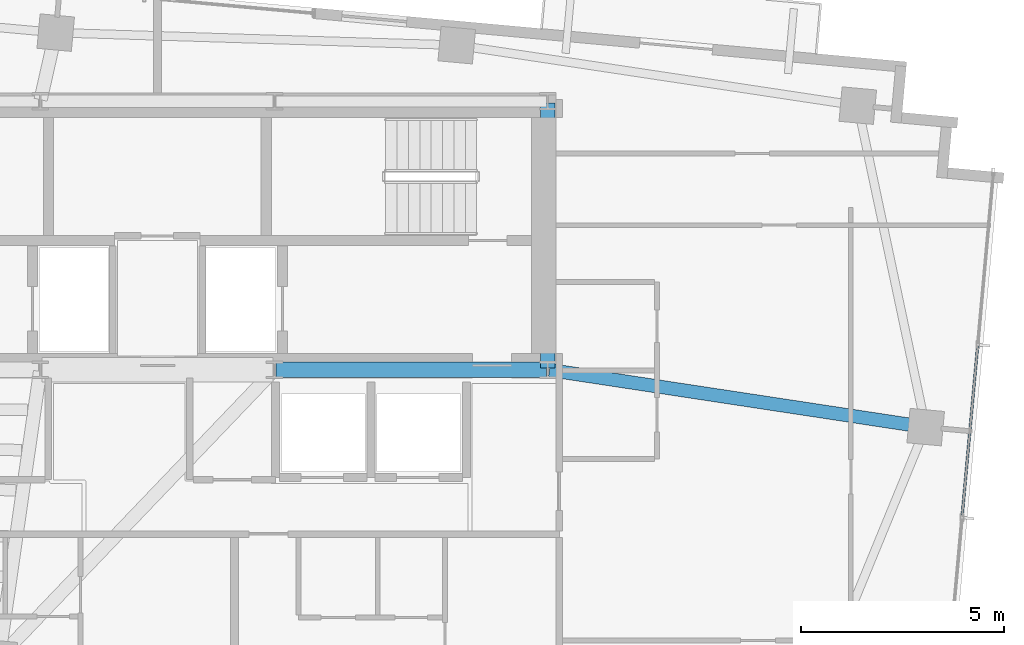
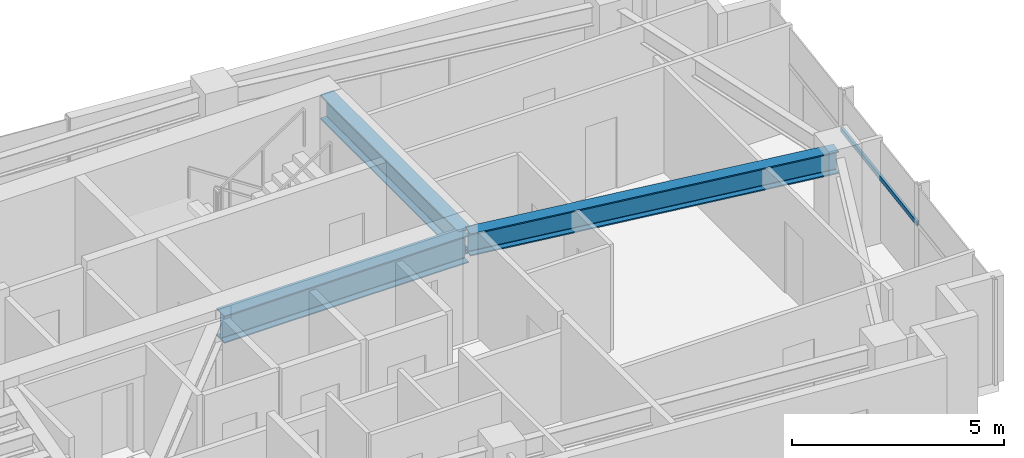
# One storey, part 13 of 22: 3 beams, 1 member, 1 element without a shape of its own.
"""IFC4 building model written with IfcOpenShell, lengths in metres."""

from ifc_helpers import new_model, si_unit, direction, frame, origin, origin_2d, place, context, subcontext, project, spatial, hollow_rectangle, i_section, extrude, source, transform, mapped, material, material_profile, profile_set, type_object, type_shapes, element, aggregate, save


model = new_model("IFC4")

# Units and contexts
model_context = context("Model", 3, precision=1e-05, world=origin(), true_north=direction((0.0, 1.0)))
body_context = subcontext(model_context, "Body", "Model", "MODEL_VIEW")
ifc_project = project(units=[si_unit("LENGTHUNIT", "METRE"), si_unit("AREAUNIT", "SQUARE_METRE"), si_unit("VOLUMEUNIT", "CUBIC_METRE"), si_unit("PLANEANGLEUNIT", "RADIAN"), si_unit("MASSUNIT", "GRAM", prefix="KILO")], contexts=[model_context])

# Site, building, storey
site_placement = place(None, origin())
site = spatial("IfcSite", under=ifc_project, at=site_placement, CompositionType="ELEMENT")
building_placement = place(site_placement, origin())
building = spatial("IfcBuilding", under=site, at=building_placement, Name="Astriad Promenade Condominiums", CompositionType="ELEMENT")
storey_placement = place(building_placement, frame((0.0, 0.0, 229.800048828125)))
storey = spatial("IfcBuildingStorey", under=building, at=storey_placement, Name="L66", CompositionType="ELEMENT", Elevation=229.800048828125)

# Beams
ifc_material_1 = material(Name="Steel ASTM A992 Grade 50", Category="steel")
ifc_material_profile_1 = material_profile(ifc_material_1, i_section(OverallWidth=0.3837890625, OverallDepth=0.785888671875, WebThickness=0.019775390625, FlangeThickness=0.033447265625, FilletRadius=0.021484375, at=origin_2d()), Name="W30X211")
ifc_profile_set_1 = profile_set([ifc_material_profile_1], Name="Steel ASTM A992 Grade 50")
beam_type_1 = type_object("IfcBeamType", Name="STEEL FLOOR GIRDER W30X211", PredefinedType="BEAM", material=ifc_profile_set_1)
shared_shape_1 = source(origin(), body_context, "Body", "SweptSolid", [
    extrude(i_section(OverallWidth=0.3837890625, OverallDepth=0.785888671875, WebThickness=0.019775390625, FlangeThickness=0.033447265625, FilletRadius=0.021484375, at=origin_2d()), origin(), (0.0, 0.0, 1.0), 6.64013671875),
])
type_shapes(beam_type_1, [shared_shape_1])
beam_1_placement = place(storey_placement, frame((38.919921875, 17.39990234375, 2.64697265625), z_axis=(1.0, 0.0, 0.0), x_axis=(0.0, 1.0, 0.0)))
element("IfcBeam", 1, at=beam_1_placement, inside=storey, type_object=beam_type_1, Name="Core Ring Beam CG-S3-L66", PredefinedType="BEAM", context=body_context, shape_type="MappedRepresentation", body=[
    mapped(shared_shape_1, transform((0.0, 0.0, 0.0), scale=1.0)),
])
ifc_material_profile_2 = material_profile(ifc_material_1, i_section(OverallWidth=0.35791015625, OverallDepth=0.706298828125, WebThickness=0.018310546875, FlangeThickness=0.0302734375, FilletRadius=0.020263671875, at=origin_2d()), Name="W27X178")
ifc_profile_set_2 = profile_set([ifc_material_profile_2], Name="Steel ASTM A992 Grade 50")
beam_type_2 = type_object("IfcBeamType", Name="STEEL FLOOR GIRDER W27X178", PredefinedType="BEAM", material=ifc_profile_set_2)
shared_shape_2 = source(origin(), body_context, "Body", "SweptSolid", [
    extrude(i_section(OverallWidth=0.35791015625, OverallDepth=0.706298828125, WebThickness=0.018310546875, FlangeThickness=0.0302734375, FilletRadius=0.020263671875, at=origin_2d()), origin(), (0.0, 0.0, 1.0), 6.52001953125),
])
type_shapes(beam_type_2, [shared_shape_2])
beam_2_placement = place(storey_placement, frame((45.60009765625, 17.43994140625, 2.686767578125), z_axis=(0.0, 1.0, 0.0), x_axis=(-1.0, 0.0, 0.0)))
element("IfcBeam", 2, at=beam_2_placement, inside=storey, type_object=beam_type_2, Name="Core Ring Beam CG-E1-L66", PredefinedType="BEAM", context=body_context, shape_type="MappedRepresentation", body=[
    mapped(shared_shape_2, transform((0.0, 0.0, 0.0), scale=1.0)),
])
ifc_material_profile_3 = material_profile(ifc_material_1, i_section(OverallWidth=0.327392578125, OverallDepth=0.640625, WebThickness=0.01904296875, FlangeThickness=0.033935546875, FilletRadius=0.017822265625, at=origin_2d()), Name="W24X176")
ifc_profile_set_3 = profile_set([ifc_material_profile_3], Name="Steel ASTM A992 Grade 50")
beam_type_3 = type_object("IfcBeamType", Name="STEEL FLOOR GIRDER W24X176", PredefinedType="BEAM", material=ifc_profile_set_3)
shared_shape_3 = source(origin(), body_context, "Body", "SweptSolid", [
    extrude(i_section(OverallWidth=0.327392578125, OverallDepth=0.640625, WebThickness=0.01904296875, FlangeThickness=0.033935546875, FilletRadius=0.017822265625, at=origin_2d()), origin(), (0.0, 0.0, 1.0), 9.315185546875),
])
type_shapes(beam_type_3, [shared_shape_3])
beam_3_placement = place(storey_placement, frame((54.84912109375, 15.995849609375, 2.7197265625), z_axis=(-0.988671230988, 0.150097291834, 0.0), x_axis=(-0.150097291834, -0.988671230988, 0.0)))
element("IfcBeam", 3, at=beam_3_placement, inside=storey, type_object=beam_type_3, Name="Primary Floor Girder PG-EM-L66", PredefinedType="BEAM", context=body_context, shape_type="MappedRepresentation", body=[
    mapped(shared_shape_3, transform((0.0, 0.0, 0.0), scale=1.0)),
])

# Curtain wall, member
ifc_material_2 = material(Name="Anodised aluminium Black Dark Glass Unitised", Category="aluminium")
curtain_wall_type = type_object("IfcCurtainWallType", Name="CW-B5-DARK", PredefinedType="USERDEFINED", material=ifc_material_2)
curtain_wall_placement = place(storey_placement, origin())
curtain_wall = element("IfcCurtainWall", 4, at=curtain_wall_placement, inside=storey, type_object=curtain_wall_type, Name="CW-L66-E", ObjectType="UNITISED_CURTAIN_WALL", PredefinedType="USERDEFINED")
ifc_material_3 = material(Name="Anodised aluminium 6063-T6 Black", Category="aluminium")
ifc_material_profile_4 = material_profile(ifc_material_3, hollow_rectangle(XDim=0.06494140625, YDim=0.1298828125, WallThickness=0.00390625, at=origin_2d()), Name="ALU-TRN-65X130")
ifc_profile_set_4 = profile_set([ifc_material_profile_4], Name="Anodised aluminium 6063-T6 Black")
member_type = type_object("IfcMemberType", Name="TRN-ALU-TRN-65X130", PredefinedType="USERDEFINED", material=ifc_profile_set_4)
shared_shape_4 = source(origin(), body_context, "Body", "SweptSolid", [
    extrude(hollow_rectangle(XDim=0.06494140625, YDim=0.1298828125, WallThickness=0.00390625, at=origin_2d()), origin(), (0.0, 0.0, 1.0), 4.266845703125),
])
type_shapes(member_type, [shared_shape_4])
member_placement = place(storey_placement, frame((56.16748046875, 18.015625, 1.884765625), z_axis=(-0.090633767096, -0.995884290599, 0.0), x_axis=(0.995884290599, -0.090633767096, 0.0)))
member = element("IfcMember", 5, at=member_placement, type_object=member_type, Name="CW-L66-E-TRN-01-0", ObjectType="TRANSOM", PredefinedType="USERDEFINED", context=body_context, shape_type="MappedRepresentation", body=[
    mapped(shared_shape_4, transform((0.0, 0.0, 0.0), scale=1.0)),
])
aggregate(curtain_wall, [member])

save(model, "model.ifc")
